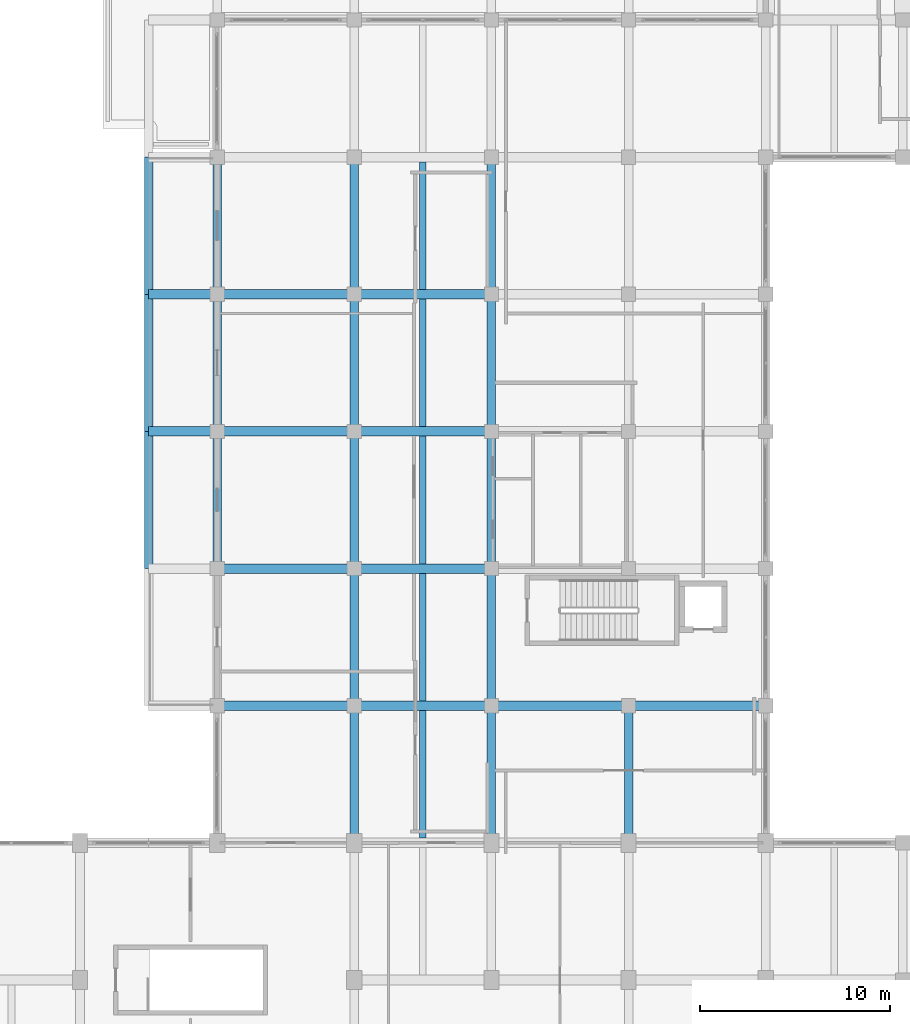
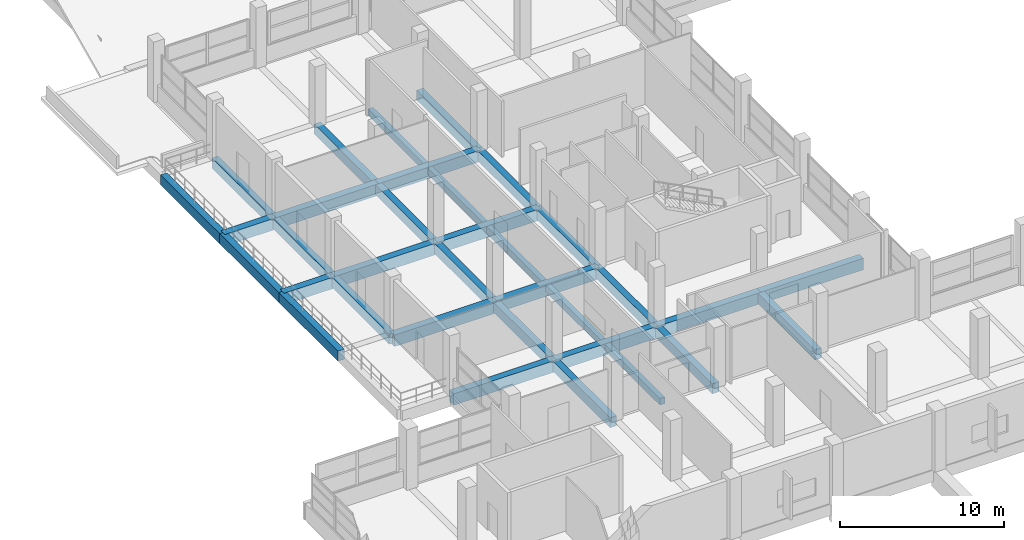
# One storey, part 17 of 141: 34 beams.
"""IFC4 building model written with IfcOpenShell, lengths in metres."""

from ifc_helpers import new_model, si_unit, direction, frame, origin, origin_2d, place, context, subcontext, project, spatial, rectangle, extrude, material, material_profile, profile_set, type_object, element, save


model = new_model("IFC4")

# Units and contexts
model_context = context("Model", 3, precision=1e-05, world=origin(), true_north=direction((0.0, 1.0)))
body_context = subcontext(model_context, "Body", "Model", "MODEL_VIEW")
ifc_project = project(units=[si_unit("LENGTHUNIT", "METRE"), si_unit("AREAUNIT", "SQUARE_METRE"), si_unit("VOLUMEUNIT", "CUBIC_METRE"), si_unit("PLANEANGLEUNIT", "RADIAN"), si_unit("MASSUNIT", "GRAM", prefix="KILO")], contexts=[model_context])

# Site, building, storey
site_placement = place(None, origin())
site = spatial("IfcSite", under=ifc_project, at=site_placement, CompositionType="ELEMENT")
building_placement = place(site_placement, origin())
building = spatial("IfcBuilding", under=site, at=building_placement, Name="Seraya Terrace Polytechnic", CompositionType="ELEMENT")
storey_placement = place(building_placement, frame((0.0, 0.0, 14.39990234375)))
storey = spatial("IfcBuildingStorey", under=building, at=storey_placement, Name="L03", CompositionType="ELEMENT", Elevation=14.39990234375)

# Beams
ifc_material = material(Name="Concrete C40/50", Category="concrete")
ifc_material_profile_1 = material_profile(ifc_material, rectangle(XDim=0.5, YDim=0.85009765625, at=origin_2d()), Name="RC 500x850")
ifc_profile_set_1 = profile_set([ifc_material_profile_1], Name="Concrete C40/50")
beam_type_1 = type_object("IfcBeamType", Name="BM-05", PredefinedType="BEAM", material=ifc_profile_set_1)
beam_1_placement = place(storey_placement, frame((14.39990234375, 36.0, -0.4248046875), z_axis=(1.0, 0.0, 0.0), x_axis=(0.0, 1.0, 0.0)))
element("IfcBeam", 1, at=beam_1_placement, inside=storey, type_object=beam_type_1, Name="Beam BM-05 L03 X (14.4..21.6, 36.0)", PredefinedType="BEAM", context=body_context, shape_type="SweptSolid", body=[
    extrude(rectangle(XDim=0.5, YDim=0.85009765625, at=origin_2d()), origin(), (0.0, 0.0, 1.0), 7.2001953125),
])
for number, where, z_axis, x_axis, name in (
    (2, (21.60009765625, 36.0, -0.4248046875), (1.0, 0.0, 0.0), (0.0, 1.0, 0.0), "Beam BM-05 L03 X (21.6..28.8, 36.0)"),
    (3, (28.800048828125, 36.0, -0.4248046875), (1.0, 0.0, 0.0), (0.0, 1.0, 0.0), "Beam BM-05 L03 X (28.8..36.0, 36.0)"),
    (4, (36.0, 36.0, -0.4248046875), (1.0, 0.0, 0.0), (0.0, 1.0, 0.0), "Beam BM-05 L03 X (36.0..43.2, 36.0)"),
):
    element("IfcBeam", number, at=place(storey_placement, frame(where, z_axis=z_axis, x_axis=x_axis)), inside=storey, type_object=beam_type_1, Name=name, PredefinedType="BEAM", context=body_context, shape_type="SweptSolid", body=[
        extrude(rectangle(XDim=0.5, YDim=0.85009765625, at=origin_2d()), origin(), (0.0, 0.0, 1.0), 7.199951171875),
    ])
beam_2_placement = place(storey_placement, frame((14.39990234375, 43.199951171875, -0.4248046875), z_axis=(1.0, 0.0, 0.0), x_axis=(0.0, 1.0, 0.0)))
element("IfcBeam", 5, at=beam_2_placement, inside=storey, type_object=beam_type_1, Name="Beam BM-05 L03 X (14.4..21.6, 43.2)", PredefinedType="BEAM", context=body_context, shape_type="SweptSolid", body=[
    extrude(rectangle(XDim=0.5, YDim=0.85009765625, at=origin_2d()), origin(), (0.0, 0.0, 1.0), 7.2001953125),
])
beam_3_placement = place(storey_placement, frame((21.60009765625, 43.199951171875, -0.4248046875), z_axis=(1.0, 0.0, 0.0), x_axis=(0.0, 1.0, 0.0)))
element("IfcBeam", 6, at=beam_3_placement, inside=storey, type_object=beam_type_1, Name="Beam BM-05 L03 X (21.6..28.8, 43.2)", PredefinedType="BEAM", context=body_context, shape_type="SweptSolid", body=[
    extrude(rectangle(XDim=0.5, YDim=0.85009765625, at=origin_2d()), origin(), (0.0, 0.0, 1.0), 7.199951171875),
])
beam_4_placement = place(storey_placement, frame((10.800048828125, 50.39990234375, -0.4248046875), z_axis=(1.0, 0.0, 0.0), x_axis=(0.0, 1.0, 0.0)))
element("IfcBeam", 7, at=beam_4_placement, inside=storey, type_object=beam_type_1, Name="Beam BM-05 L03 X (10.8..14.4, 50.4)", PredefinedType="BEAM", context=body_context, shape_type="SweptSolid", body=[
    extrude(rectangle(XDim=0.5, YDim=0.85009765625, at=origin_2d()), origin(), (0.0, 0.0, 1.0), 3.599853515625),
])
beam_5_placement = place(storey_placement, frame((14.39990234375, 50.39990234375, -0.4248046875), z_axis=(1.0, 0.0, 0.0), x_axis=(0.0, 1.0, 0.0)))
element("IfcBeam", 8, at=beam_5_placement, inside=storey, type_object=beam_type_1, Name="Beam BM-05 L03 X (14.4..21.6, 50.4)", PredefinedType="BEAM", context=body_context, shape_type="SweptSolid", body=[
    extrude(rectangle(XDim=0.5, YDim=0.85009765625, at=origin_2d()), origin(), (0.0, 0.0, 1.0), 7.2001953125),
])
beam_6_placement = place(storey_placement, frame((21.60009765625, 50.39990234375, -0.4248046875), z_axis=(1.0, 0.0, 0.0), x_axis=(0.0, 1.0, 0.0)))
element("IfcBeam", 9, at=beam_6_placement, inside=storey, type_object=beam_type_1, Name="Beam BM-05 L03 X (21.6..28.8, 50.4)", PredefinedType="BEAM", context=body_context, shape_type="SweptSolid", body=[
    extrude(rectangle(XDim=0.5, YDim=0.85009765625, at=origin_2d()), origin(), (0.0, 0.0, 1.0), 7.199951171875),
])
beam_7_placement = place(storey_placement, frame((10.800048828125, 57.60009765625, -0.4248046875), z_axis=(1.0, 0.0, 0.0), x_axis=(0.0, 1.0, 0.0)))
element("IfcBeam", 10, at=beam_7_placement, inside=storey, type_object=beam_type_1, Name="Beam BM-05 L03 X (10.8..14.4, 57.6)", PredefinedType="BEAM", context=body_context, shape_type="SweptSolid", body=[
    extrude(rectangle(XDim=0.5, YDim=0.85009765625, at=origin_2d()), origin(), (0.0, 0.0, 1.0), 3.599853515625),
])
beam_8_placement = place(storey_placement, frame((14.39990234375, 57.60009765625, -0.4248046875), z_axis=(1.0, 0.0, 0.0), x_axis=(0.0, 1.0, 0.0)))
element("IfcBeam", 11, at=beam_8_placement, inside=storey, type_object=beam_type_1, Name="Beam BM-05 L03 X (14.4..21.6, 57.6)", PredefinedType="BEAM", context=body_context, shape_type="SweptSolid", body=[
    extrude(rectangle(XDim=0.5, YDim=0.85009765625, at=origin_2d()), origin(), (0.0, 0.0, 1.0), 7.2001953125),
])
beam_9_placement = place(storey_placement, frame((21.60009765625, 57.60009765625, -0.4248046875), z_axis=(1.0, 0.0, 0.0), x_axis=(0.0, 1.0, 0.0)))
element("IfcBeam", 12, at=beam_9_placement, inside=storey, type_object=beam_type_1, Name="Beam BM-05 L03 X (21.6..28.8, 57.6)", PredefinedType="BEAM", context=body_context, shape_type="SweptSolid", body=[
    extrude(rectangle(XDim=0.5, YDim=0.85009765625, at=origin_2d()), origin(), (0.0, 0.0, 1.0), 7.199951171875),
])
ifc_material_profile_2 = material_profile(ifc_material, rectangle(XDim=0.449951171875, YDim=0.75, at=origin_2d()), Name="RC 450x750")
ifc_profile_set_2 = profile_set([ifc_material_profile_2], Name="Concrete C40/50")
beam_type_2 = type_object("IfcBeamType", Name="BM-08", PredefinedType="BEAM", material=ifc_profile_set_2)
beam_10_placement = place(storey_placement, frame((10.800048828125, 43.199951171875, -0.375), z_axis=(0.0, 1.0, 0.0), x_axis=(-1.0, 0.0, 0.0)))
element("IfcBeam", 13, at=beam_10_placement, inside=storey, type_object=beam_type_2, Name="Beam BM-08 L03 Y (10.8, 43.2..50.4)", PredefinedType="BEAM", context=body_context, shape_type="SweptSolid", body=[
    extrude(rectangle(XDim=0.449951171875, YDim=0.75, at=origin_2d()), origin(), (0.0, 0.0, 1.0), 7.199951171875),
])
beam_11_placement = place(storey_placement, frame((10.800048828125, 50.39990234375, -0.375), z_axis=(0.0, 1.0, 0.0), x_axis=(-1.0, 0.0, 0.0)))
element("IfcBeam", 14, at=beam_11_placement, inside=storey, type_object=beam_type_2, Name="Beam BM-08 L03 Y (10.8, 50.4..57.6)", PredefinedType="BEAM", context=body_context, shape_type="SweptSolid", body=[
    extrude(rectangle(XDim=0.449951171875, YDim=0.75, at=origin_2d()), origin(), (0.0, 0.0, 1.0), 7.2001953125),
])
for number, where, z_axis, x_axis, name in (
    (15, (10.800048828125, 57.60009765625, -0.375), (0.0, 1.0, 0.0), (-1.0, 0.0, 0.0), "Beam BM-08 L03 Y (10.8, 57.6..64.8)"),
    (16, (14.39990234375, 43.199951171875, -0.375), (0.0, 1.0, 0.0), (-1.0, 0.0, 0.0), "Beam BM-08 L03 Y (14.4, 43.2..50.4)"),
):
    element("IfcBeam", number, at=place(storey_placement, frame(where, z_axis=z_axis, x_axis=x_axis)), inside=storey, type_object=beam_type_2, Name=name, PredefinedType="BEAM", context=body_context, shape_type="SweptSolid", body=[
        extrude(rectangle(XDim=0.449951171875, YDim=0.75, at=origin_2d()), origin(), (0.0, 0.0, 1.0), 7.199951171875),
    ])
beam_12_placement = place(storey_placement, frame((14.39990234375, 50.39990234375, -0.375), z_axis=(0.0, 1.0, 0.0), x_axis=(-1.0, 0.0, 0.0)))
element("IfcBeam", 17, at=beam_12_placement, inside=storey, type_object=beam_type_2, Name="Beam BM-08 L03 Y (14.4, 50.4..57.6)", PredefinedType="BEAM", context=body_context, shape_type="SweptSolid", body=[
    extrude(rectangle(XDim=0.449951171875, YDim=0.75, at=origin_2d()), origin(), (0.0, 0.0, 1.0), 7.2001953125),
])
for number, where, z_axis, x_axis, name in (
    (18, (14.39990234375, 57.60009765625, -0.375), (0.0, 1.0, 0.0), (-1.0, 0.0, 0.0), "Beam BM-08 L03 Y (14.4, 57.6..64.8)"),
    (19, (21.60009765625, 28.800048828125, -0.375), (0.0, 1.0, 0.0), (-1.0, 0.0, 0.0), "Beam BM-08 L03 Y (21.6, 28.8..36.0)"),
    (20, (21.60009765625, 36.0, -0.375), (0.0, 1.0, 0.0), (-1.0, 0.0, 0.0), "Beam BM-08 L03 Y (21.6, 36.0..43.2)"),
    (21, (21.60009765625, 43.199951171875, -0.375), (0.0, 1.0, 0.0), (-1.0, 0.0, 0.0), "Beam BM-08 L03 Y (21.6, 43.2..50.4)"),
):
    element("IfcBeam", number, at=place(storey_placement, frame(where, z_axis=z_axis, x_axis=x_axis)), inside=storey, type_object=beam_type_2, Name=name, PredefinedType="BEAM", context=body_context, shape_type="SweptSolid", body=[
        extrude(rectangle(XDim=0.449951171875, YDim=0.75, at=origin_2d()), origin(), (0.0, 0.0, 1.0), 7.199951171875),
    ])
beam_13_placement = place(storey_placement, frame((21.60009765625, 50.39990234375, -0.375), z_axis=(0.0, 1.0, 0.0), x_axis=(-1.0, 0.0, 0.0)))
element("IfcBeam", 22, at=beam_13_placement, inside=storey, type_object=beam_type_2, Name="Beam BM-08 L03 Y (21.6, 50.4..57.6)", PredefinedType="BEAM", context=body_context, shape_type="SweptSolid", body=[
    extrude(rectangle(XDim=0.449951171875, YDim=0.75, at=origin_2d()), origin(), (0.0, 0.0, 1.0), 7.2001953125),
])
for number, where, z_axis, x_axis, name in (
    (23, (21.60009765625, 57.60009765625, -0.375), (0.0, 1.0, 0.0), (-1.0, 0.0, 0.0), "Beam BM-08 L03 Y (21.6, 57.6..64.8)"),
    (24, (28.800048828125, 28.800048828125, -0.375), (0.0, 1.0, 0.0), (-1.0, 0.0, 0.0), "Beam BM-08 L03 Y (28.8, 28.8..36.0)"),
    (25, (28.800048828125, 36.0, -0.375), (0.0, 1.0, 0.0), (-1.0, 0.0, 0.0), "Beam BM-08 L03 Y (28.8, 36.0..43.2)"),
    (26, (28.800048828125, 43.199951171875, -0.375), (0.0, 1.0, 0.0), (-1.0, 0.0, 0.0), "Beam BM-08 L03 Y (28.8, 43.2..50.4)"),
):
    element("IfcBeam", number, at=place(storey_placement, frame(where, z_axis=z_axis, x_axis=x_axis)), inside=storey, type_object=beam_type_2, Name=name, PredefinedType="BEAM", context=body_context, shape_type="SweptSolid", body=[
        extrude(rectangle(XDim=0.449951171875, YDim=0.75, at=origin_2d()), origin(), (0.0, 0.0, 1.0), 7.199951171875),
    ])
beam_14_placement = place(storey_placement, frame((28.800048828125, 50.39990234375, -0.375), z_axis=(0.0, 1.0, 0.0), x_axis=(-1.0, 0.0, 0.0)))
element("IfcBeam", 27, at=beam_14_placement, inside=storey, type_object=beam_type_2, Name="Beam BM-08 L03 Y (28.8, 50.4..57.6)", PredefinedType="BEAM", context=body_context, shape_type="SweptSolid", body=[
    extrude(rectangle(XDim=0.449951171875, YDim=0.75, at=origin_2d()), origin(), (0.0, 0.0, 1.0), 7.2001953125),
])
for number, where, z_axis, x_axis, name in (
    (28, (28.800048828125, 57.60009765625, -0.375), (0.0, 1.0, 0.0), (-1.0, 0.0, 0.0), "Beam BM-08 L03 Y (28.8, 57.6..64.8)"),
    (29, (36.0, 28.800048828125, -0.375), (0.0, 1.0, 0.0), (-1.0, 0.0, 0.0), "Beam BM-08 L03 Y (36.0, 28.8..36.0)"),
):
    element("IfcBeam", number, at=place(storey_placement, frame(where, z_axis=z_axis, x_axis=x_axis)), inside=storey, type_object=beam_type_2, Name=name, PredefinedType="BEAM", context=body_context, shape_type="SweptSolid", body=[
        extrude(rectangle(XDim=0.449951171875, YDim=0.75, at=origin_2d()), origin(), (0.0, 0.0, 1.0), 7.199951171875),
    ])
ifc_material_profile_3 = material_profile(ifc_material, rectangle(XDim=0.35009765625, YDim=0.5, at=origin_2d()), Name="RC 350x500")
ifc_profile_set_3 = profile_set([ifc_material_profile_3], Name="Concrete C40/50")
beam_type_3 = type_object("IfcBeamType", Name="JS-03", PredefinedType="JOIST", material=ifc_profile_set_3)
for number, where, z_axis, x_axis, name in (
    (30, (25.199951171875, 29.050048828125, -0.25), (0.0, 1.0, 0.0), (-1.0, 0.0, 0.0), "Secondary joist JS-03 L03"),
    (31, (25.199951171875, 36.25, -0.25), (0.0, 1.0, 0.0), (-1.0, 0.0, 0.0), "Secondary joist JS-03 L03"),
    (32, (25.199951171875, 43.449951171875, -0.25), (0.0, 1.0, 0.0), (-1.0, 0.0, 0.0), "Secondary joist JS-03 L03"),
):
    element("IfcBeam", number, at=place(storey_placement, frame(where, z_axis=z_axis, x_axis=x_axis)), inside=storey, type_object=beam_type_3, Name=name, PredefinedType="JOIST", context=body_context, shape_type="SweptSolid", body=[
        extrude(rectangle(XDim=0.35009765625, YDim=0.5, at=origin_2d()), origin(), (0.0, 0.0, 1.0), 6.699951171875),
    ])
beam_15_placement = place(storey_placement, frame((25.199951171875, 50.64990234375, -0.25), z_axis=(0.0, 1.0, 0.0), x_axis=(-1.0, 0.0, 0.0)))
element("IfcBeam", 33, at=beam_15_placement, inside=storey, type_object=beam_type_3, Name="Secondary joist JS-03 L03", PredefinedType="JOIST", context=body_context, shape_type="SweptSolid", body=[
    extrude(rectangle(XDim=0.35009765625, YDim=0.5, at=origin_2d()), origin(), (0.0, 0.0, 1.0), 6.7001953125),
])
beam_16_placement = place(storey_placement, frame((25.199951171875, 57.85009765625, -0.25), z_axis=(0.0, 1.0, 0.0), x_axis=(-1.0, 0.0, 0.0)))
element("IfcBeam", 34, at=beam_16_placement, inside=storey, type_object=beam_type_3, Name="Secondary joist JS-03 L03", PredefinedType="JOIST", context=body_context, shape_type="SweptSolid", body=[
    extrude(rectangle(XDim=0.35009765625, YDim=0.5, at=origin_2d()), origin(), (0.0, 0.0, 1.0), 6.699951171875),
])

save(model, "model.ifc")
